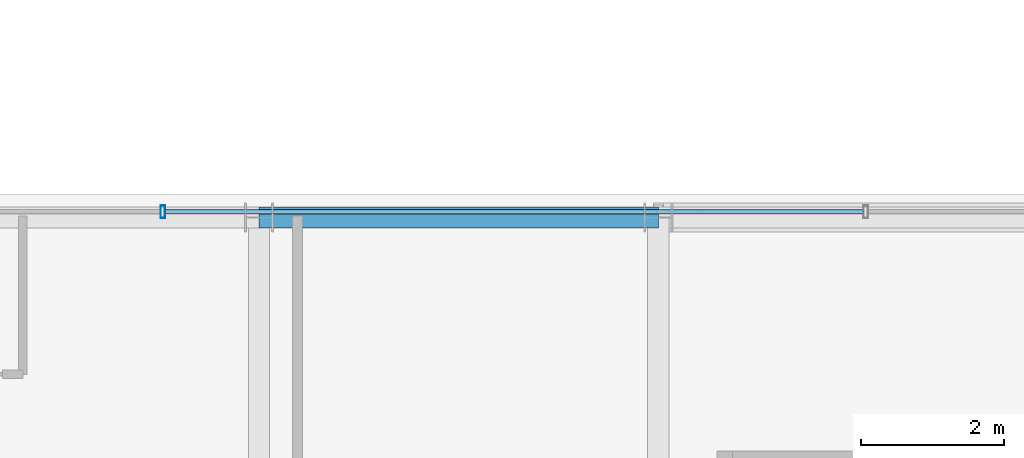
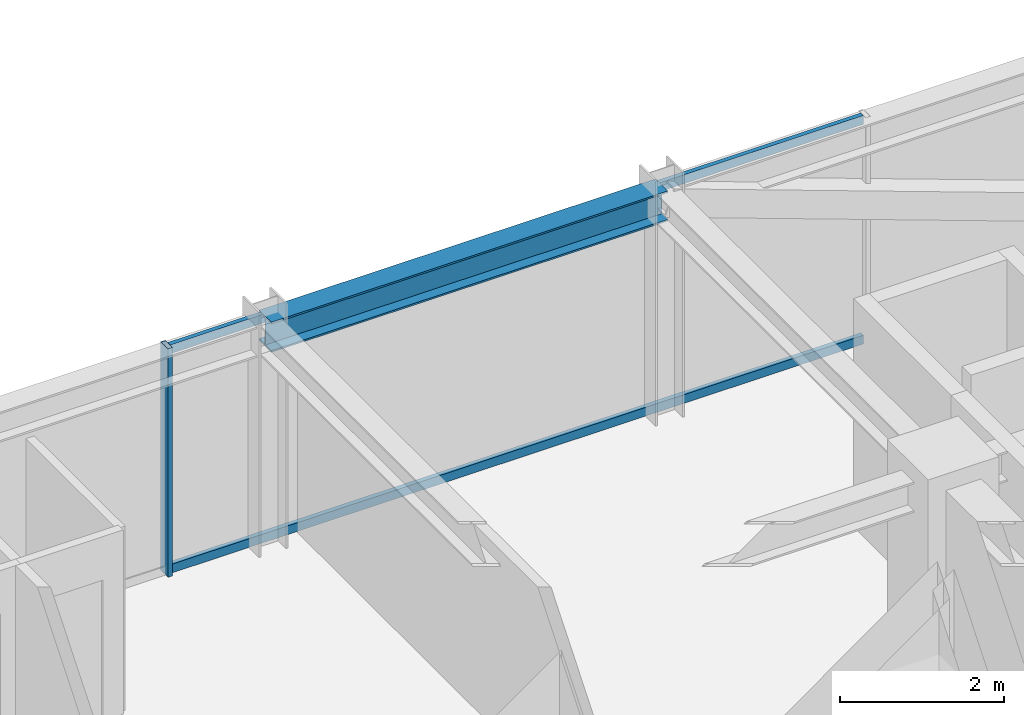
# One storey, part 23 of 36: 3 members, 1 beam, 1 element without a shape of its own.
"""IFC4 building model written with IfcOpenShell, lengths in metres."""

from ifc_helpers import new_model, si_unit, direction, frame, origin, origin_2d, place, context, subcontext, project, spatial, hollow_rectangle, i_section, extrude, source, transform, mapped, material, material_profile, profile_set, type_object, element, aggregate, save


model = new_model("IFC4")

# Units and contexts
model_context = context("Model", 3, precision=1e-05, world=origin(), true_north=direction((0.0, 1.0)))
body_context = subcontext(model_context, "Body", "Model", "MODEL_VIEW")
ifc_project = project(units=[si_unit("LENGTHUNIT", "METRE"), si_unit("AREAUNIT", "SQUARE_METRE"), si_unit("VOLUMEUNIT", "CUBIC_METRE"), si_unit("PLANEANGLEUNIT", "RADIAN"), si_unit("MASSUNIT", "GRAM", prefix="KILO")], contexts=[model_context])

# Site, building, storey
site_placement = place(None, origin())
site = spatial("IfcSite", under=ifc_project, at=site_placement, CompositionType="ELEMENT")
building_placement = place(site_placement, origin())
building = spatial("IfcBuilding", under=site, at=building_placement, Name="Nahalor Promenade Grand Hotel", CompositionType="ELEMENT")
storey_placement = place(building_placement, frame((0.0, 0.0, 219.699951171875)))
storey = spatial("IfcBuildingStorey", under=building, at=storey_placement, Name="L56", CompositionType="ELEMENT", Elevation=219.699951171875)

# Beam
ifc_material_1 = material(Name="Steel S355JR", Category="steel")
ifc_material_profile_1 = material_profile(ifc_material_1, i_section(OverallWidth=0.3, OverallDepth=0.45, WebThickness=0.014, FlangeThickness=0.026, at=origin_2d()), Name="HEB 450")
ifc_profile_set_1 = profile_set([ifc_material_profile_1], Name="Steel S355JR")
beam_type = type_object("IfcBeamType", Name="Beam-Spandrel-HEB450", PredefinedType="SPANDREL", material=ifc_profile_set_1)
shared_shape_1 = source(origin(), body_context, "Body", "SweptSolid", [
    extrude(i_section(OverallWidth=0.3, OverallDepth=0.45, WebThickness=0.014, FlangeThickness=0.026, at=origin_2d()), origin(), (0.0, 0.0, 1.0), 5.599853515625),
])
beam_placement = place(storey_placement, frame((2.800048828125, 23.8798828125, 3.18505859375), z_axis=(1.0, 0.0, 0.0), x_axis=(0.0, 1.0, 0.0)))
element("IfcBeam", 1, at=beam_placement, inside=storey, type_object=beam_type, Name="BM-L56-SP-N-3", PredefinedType="SPANDREL", context=body_context, shape_type="MappedRepresentation", body=[
    mapped(shared_shape_1, transform((0.0, 0.0, 0.0), scale=1.0)),
])

# Curtain wall, members
ifc_material_2 = material(Name="Anodised Bronze Aluminium EN AW-6063 T6", Category="aluminium")
curtain_wall_type = type_object("IfcCurtainWallType", Name="CW2 Typical Hotel Flush Bronze Unitised Curtain Wall", PredefinedType="USERDEFINED", material=ifc_material_2)
curtain_wall_placement = place(storey_placement, origin())
curtain_wall = element("IfcCurtainWall", 2, at=curtain_wall_placement, inside=storey, type_object=curtain_wall_type, Name="L56 Curtain Wall CW-L56-N-3", ObjectType="UNITISED_CURTAIN_WALL", PredefinedType="USERDEFINED")
ifc_material_profile_2 = material_profile(ifc_material_2, hollow_rectangle(XDim=0.065, YDim=0.18, WallThickness=0.004, at=origin_2d()), Name="CWM 65x180x4")
ifc_profile_set_2 = profile_set([ifc_material_profile_2], Name="Anodised Bronze Aluminium EN AW-6063 T6")
member_type_1 = type_object("IfcMemberType", Name="CWM2 Typical Bronze Mullion 65x180", PredefinedType="MULLION", material=ifc_profile_set_2)
shared_shape_2 = source(origin(), body_context, "Body", "SweptSolid", [
    extrude(hollow_rectangle(XDim=0.065, YDim=0.18, WallThickness=0.004, at=origin_2d()), origin(), (0.0, 0.0, 1.0), 3.41015625),
])
member_1_placement = place(storey_placement, frame((1.453369140625, 23.9599609375, 0.0), z_axis=(0.0, 0.0, 1.0), x_axis=(1.0, 0.0, 0.0)))
member_1 = element("IfcMember", 3, at=member_1_placement, type_object=member_type_1, Name="CW-L56-N-3 Mullion 1", PredefinedType="MULLION", context=body_context, shape_type="MappedRepresentation", body=[
    mapped(shared_shape_2, transform((0.0, 0.0, 0.0), scale=1.0)),
])
ifc_material_profile_3 = material_profile(ifc_material_2, hollow_rectangle(XDim=0.065, YDim=0.13, WallThickness=0.004, at=origin_2d()), Name="CWT 65x130x4")
ifc_profile_set_3 = profile_set([ifc_material_profile_3], Name="Anodised Bronze Aluminium EN AW-6063 T6")
member_type_2 = type_object("IfcMemberType", Name="CWT2 Typical Bronze Transom 65x130", PredefinedType="USERDEFINED", material=ifc_profile_set_3)
shared_shape_3 = source(origin(), body_context, "Body", "SweptSolid", [
    extrude(hollow_rectangle(XDim=0.065, YDim=0.13, WallThickness=0.004, at=origin_2d()), origin(), (0.0, 0.0, 1.0), 9.788330078125),
])
member_2_placement = place(storey_placement, frame((1.48583984375, 23.9599609375, 0.06494140625), z_axis=(1.0, 0.0, 0.0), x_axis=(0.0, 1.0, 0.0)))
member_2 = element("IfcMember", 4, at=member_2_placement, type_object=member_type_2, Name="CW-L56-N-3 Transom 1-0", ObjectType="TRANSOM", PredefinedType="USERDEFINED", context=body_context, shape_type="MappedRepresentation", body=[
    mapped(shared_shape_3, transform((0.0, 0.0, 0.0), scale=1.0)),
])
member_3_placement = place(storey_placement, frame((1.48583984375, 23.9599609375, 3.344970703125), z_axis=(1.0, 0.0, 0.0), x_axis=(0.0, 1.0, 0.0)))
member_3 = element("IfcMember", 5, at=member_3_placement, type_object=member_type_2, Name="CW-L56-N-3 Transom 1-1", ObjectType="TRANSOM", PredefinedType="USERDEFINED", context=body_context, shape_type="MappedRepresentation", body=[
    mapped(shared_shape_3, transform((0.0, 0.0, 0.0), scale=1.0)),
])
aggregate(curtain_wall, [member_1, member_2, member_3])

save(model, "model.ifc")
